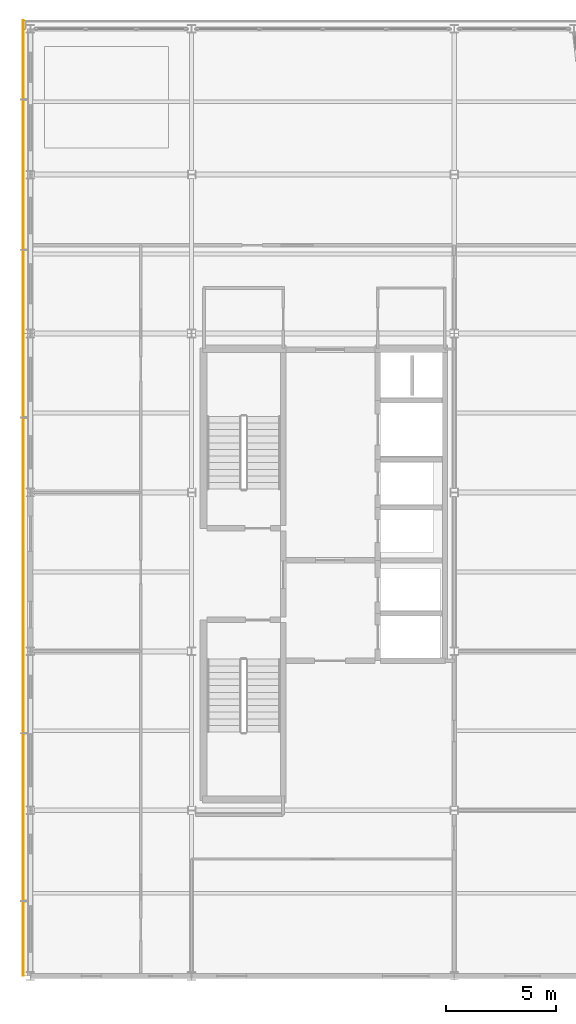
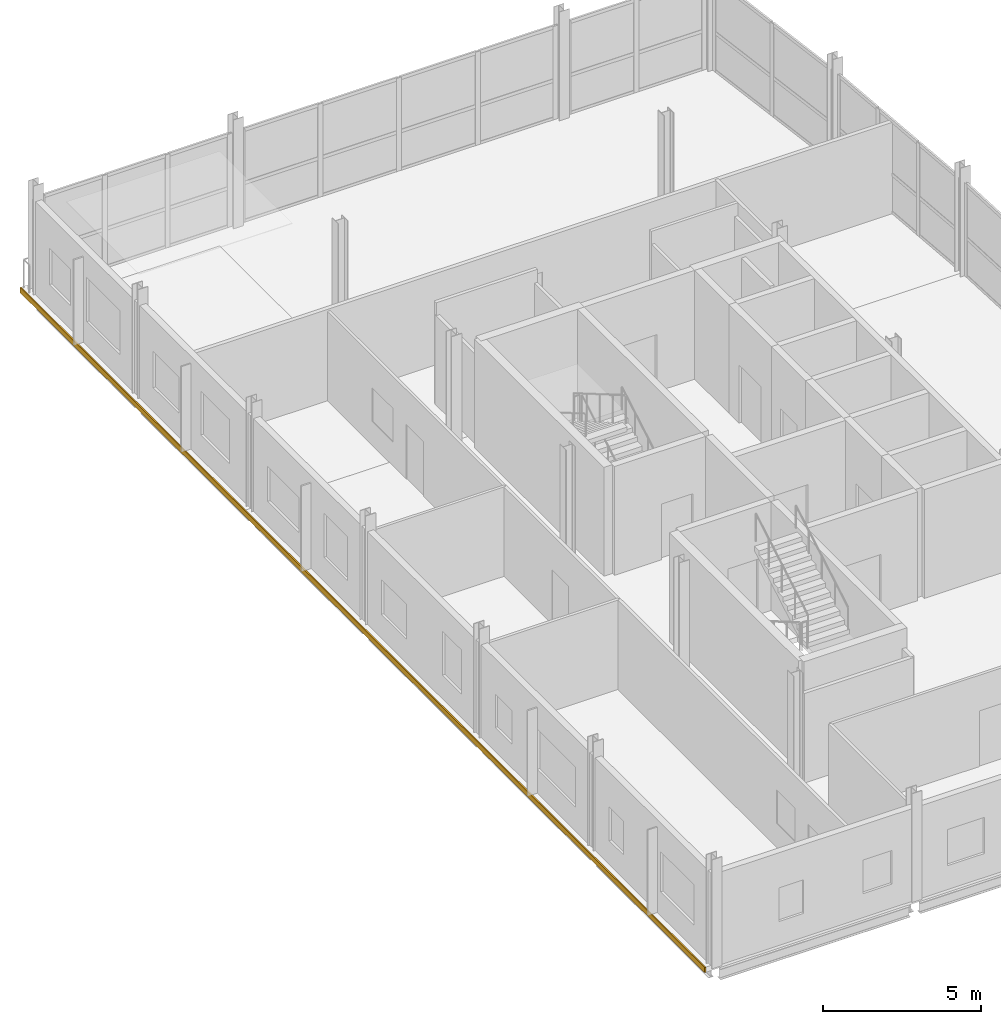
# One storey, part 15 of 16: 1 covering.
"""IFC4 building model written with IfcOpenShell, lengths in metres."""

import ifcopenshell
import ifcopenshell.guid

model = None  # the IFC model being written
_history = None  # IfcOwnerHistory: only IFC2X3 demands one
_inside = {}  # id of a spatial element -> (the spatial element, [elements in it])
_under = {}  # id of a project, library or spatial element -> (it, [spatial elements below it])
_declared = {}  # id of a project -> (the project, [libraries it declares])
_typed = {}  # id of a type object -> (the type object, [elements of that type])
_made_of = {}  # id of a material, layer set ... -> (it, [elements and type objects made of it])


def new_model(schema):
    """Start an empty IFC model of exactly this schema.

    Asked for "IFC4X3", IfcOpenShell would pick the latest addendum, in which some entities
    have other attributes; the version numbers below select the first issue.
    IFC2X3 requires an IfcOwnerHistory on every rooted entity: one is made here for all.
    """
    global model, _history
    if schema == "IFC4X3":
        model = ifcopenshell.file(schema_version=(4, 3, 0, 0))
    else:
        model = ifcopenshell.file(schema=schema)
    _inside.clear()
    _under.clear()
    _declared.clear()
    _typed.clear()
    _made_of.clear()
    _history = None
    if model.schema == "IFC2X3":
        org = make("IfcOrganization", Name="unknown")
        user = make(
            "IfcPersonAndOrganization",
            ThePerson=make("IfcPerson", FamilyName="unknown"),
            TheOrganization=org,
        )
        app = make(
            "IfcApplication",
            ApplicationDeveloper=org,
            Version="unknown",
            ApplicationFullName="unknown",
            ApplicationIdentifier="unknown",
        )
        _history = make(
            "IfcOwnerHistory",
            OwningUser=user,
            OwningApplication=app,
            ChangeAction="ADDED",
            CreationDate=0,
        )
    return model


def make(cls, **values):
    """One entity of the class cls with the attributes given. An attribute that is None is left unset."""
    return model.create_entity(
        cls, **{name: value for name, value in values.items() if value is not None}
    )


def rooted(cls, **values):
    """An entity with a GlobalId (a new one), such as an element, a storey or a relation."""
    return make(cls, GlobalId=ifcopenshell.guid.new(), OwnerHistory=_history, **values)


def si_unit(unit_type, name, prefix=None):
    """IfcSIUnit, for example si_unit("LENGTHUNIT", "METRE", prefix="MILLI")."""
    return make("IfcSIUnit", UnitType=unit_type, Prefix=prefix, Name=name)


def assignment(units):
    """IfcUnitAssignment: the units of a project."""
    return None if units is None else make("IfcUnitAssignment", Units=units)


def point(xyz):
    """IfcCartesianPoint."""
    return None if xyz is None else make("IfcCartesianPoint", Coordinates=xyz)


def direction(xyz):
    """IfcDirection."""
    return None if xyz is None else make("IfcDirection", DirectionRatios=xyz)


def frame(location, z_axis=None, x_axis=None):
    """IfcAxis2Placement3D, a coordinate frame: its origin and axes. An axis left out is left unset."""
    return make(
        "IfcAxis2Placement3D",
        Location=point(location),
        Axis=direction(z_axis),
        RefDirection=direction(x_axis),
    )


def origin():
    """The frame at (0, 0, 0) with its axes left unset."""
    return frame((0.0, 0.0, 0.0))


def place(relative_to, where):
    """IfcLocalPlacement: puts the frame where relative to a parent placement (None: the world)."""
    return make(
        "IfcLocalPlacement", PlacementRelTo=relative_to, RelativePlacement=where
    )


def context(
    kind, dimensions, precision=None, world=None, true_north=None, identifier=None
):
    """IfcGeometricRepresentationContext, for example the 3D "Model" context."""
    return make(
        "IfcGeometricRepresentationContext",
        ContextIdentifier=identifier,
        ContextType=kind,
        CoordinateSpaceDimension=dimensions,
        Precision=precision,
        WorldCoordinateSystem=world,
        TrueNorth=true_north,
    )


def subcontext(parent, identifier, kind, view, scale=None):
    """IfcGeometricRepresentationSubContext, for example "Body" below "Model"."""
    return make(
        "IfcGeometricRepresentationSubContext",
        ContextIdentifier=identifier,
        ContextType=kind,
        ParentContext=parent,
        TargetScale=scale,
        TargetView=view,
    )


def project(units=None, contexts=None):
    """IfcProject with its units and contexts."""
    return rooted(
        "IfcProject",
        Name="project",
        RepresentationContexts=contexts,
        UnitsInContext=assignment(units),
    )


def spatial(cls, under=None, at=None, **own):
    """A site, building, storey or space (cls), placed at a placement, below another one or the project."""
    s = rooted(cls, ObjectPlacement=at, **own)
    if under is not None:
        _under.setdefault(under.id(), (under, []))[1].append(s)
    return s


def polyline(points):
    """IfcPolyline through the points."""
    return make("IfcPolyline", Points=[point(p) for p in points])


def outline(outer, holes=None, kind="AREA"):
    """IfcArbitraryClosedProfileDef: a profile drawn as a closed curve; with holes, ...WithVoids."""
    if holes is None:
        return make("IfcArbitraryClosedProfileDef", ProfileType=kind, OuterCurve=outer)
    return make(
        "IfcArbitraryProfileDefWithVoids",
        ProfileType=kind,
        OuterCurve=outer,
        InnerCurves=holes,
    )


def extrude(swept, where, along, depth):
    """IfcExtrudedAreaSolid: the profile swept, set in the frame where, extruded along a direction by depth."""
    return make(
        "IfcExtrudedAreaSolid",
        SweptArea=swept,
        Position=where,
        ExtrudedDirection=direction(along),
        Depth=depth,
    )


def shape(context_of_items, identifier, shape_type, items):
    """IfcShapeRepresentation: the items that make up one representation, for example the "Body"."""
    return make(
        "IfcShapeRepresentation",
        ContextOfItems=context_of_items,
        RepresentationIdentifier=identifier,
        RepresentationType=shape_type,
        Items=items,
    )


def material(Name=None, Category=None):
    """IfcMaterial."""
    return make("IfcMaterial", Name=Name, Category=Category)


def layer(
    of_material, thickness, ventilated=None, Name=None, Category=None, Priority=None
):
    """IfcMaterialLayer: one layer of a wall or slab, of a material (None: an air gap)."""
    return make(
        "IfcMaterialLayer",
        Material=of_material,
        LayerThickness=thickness,
        IsVentilated=ventilated,
        Name=Name,
        Category=Category,
        Priority=Priority,
    )


def layer_set(layers, Name=None):
    """IfcMaterialLayerSet."""
    return make("IfcMaterialLayerSet", MaterialLayers=layers, LayerSetName=Name)


def made_of(thing, what):
    """Note that an element or type object is made of a material, layer set ...; save() writes the relation."""
    if what is not None:
        _made_of.setdefault(what.id(), (what, []))[1].append(thing)
    return thing


def type_object(cls, material=None, **own):
    """A type object (cls), such as IfcWallType, which elements share."""
    return made_of(rooted(cls, **own), material)


def element(
    cls,
    number,
    at=None,
    inside=None,
    cuts=None,
    type_object=None,
    material=None,
    context=None,
    identifier="Body",
    shape_type=None,
    held_by="IfcProductDefinitionShape",
    body=None,
    shapes=None,
    **own,
):
    """One element of the class cls, such as IfcWall. Its Tag is "e" and its number.

    at: its placement. inside: the storey or other place that contains it. cuts: it is an
    opening in that element (IfcRelVoidsElement). A single representation is given by context,
    identifier, shape_type and body (its items); several are given by shapes. held_by: the class
    of the entity that holds the representations. save() writes the other relations.
    """
    e = rooted(cls, Tag="e%d" % number, ObjectPlacement=at, **own)
    if body is not None:
        shapes = [shape(context, identifier, shape_type, body)]
    if shapes is not None:
        e.Representation = make(held_by, Representations=shapes)
    if inside is not None:
        _inside.setdefault(inside.id(), (inside, []))[1].append(e)
    if cuts is not None:
        rooted(
            "IfcRelVoidsElement", RelatingBuildingElement=cuts, RelatedOpeningElement=e
        )
    if type_object is not None:
        _typed.setdefault(type_object.id(), (type_object, []))[1].append(e)
    return made_of(e, material)


def aggregate(whole, parts):
    """IfcRelAggregates: a whole, such as a stair, and the parts it consists of."""
    return rooted("IfcRelAggregates", RelatingObject=whole, RelatedObjects=parts)


def save(model, path):
    """Write the relations noted so far, then the file.

    IfcRelAggregates (storeys below a building ...), IfcRelContainedInSpatialStructure (elements
    in a storey), IfcRelDefinesByType, IfcRelAssociatesMaterial and IfcRelDeclares: one each for
    every whole, place, type object, material and project.
    """
    for whole, parts in _under.values():
        aggregate(whole, parts)
    for where, things in _inside.values():
        rooted(
            "IfcRelContainedInSpatialStructure",
            RelatedElements=things,
            RelatingStructure=where,
        )
    for kind, things in _typed.values():
        rooted("IfcRelDefinesByType", RelatedObjects=things, RelatingType=kind)
    for what, things in _made_of.values():
        rooted("IfcRelAssociatesMaterial", RelatedObjects=things, RelatingMaterial=what)
    for by, libraries in _declared.values():
        rooted("IfcRelDeclares", RelatingContext=by, RelatedDefinitions=libraries)
    model.write(path)


model = new_model("IFC4")

# Units and contexts
model_context = context("Model", 3, precision=1e-05, world=origin(), true_north=direction((0.0, 1.0)))
body_context = subcontext(model_context, "Body", "Model", "MODEL_VIEW")
ifc_project = project(units=[si_unit("LENGTHUNIT", "METRE"), si_unit("AREAUNIT", "SQUARE_METRE"), si_unit("VOLUMEUNIT", "CUBIC_METRE"), si_unit("PLANEANGLEUNIT", "RADIAN"), si_unit("MASSUNIT", "GRAM", prefix="KILO")], contexts=[model_context])

# Site, building, storey
site_placement = place(None, origin())
site = spatial("IfcSite", under=ifc_project, at=site_placement, CompositionType="ELEMENT")
building_placement = place(site_placement, origin())
building = spatial("IfcBuilding", under=site, at=building_placement, Name="Quillay Park Conservatory", CompositionType="ELEMENT")
storey_placement = place(building_placement, frame((0.0, 0.0, 39.300048828125)))
storey = spatial("IfcBuildingStorey", under=building, at=storey_placement, Name="L09", CompositionType="ELEMENT", Elevation=39.300048828125)

# Covering
ifc_material = material(Name="Glass-Fibre Reinforced Concrete (GRC) Cladding", Category="concrete")
ifc_layer = layer(ifc_material, 0.044921875)
ifc_layer_set = layer_set([ifc_layer], Name="GRC SPANDREL CLADDING 45 (Glass-Fibre Reinforced Concrete (GRC) Cladding)")
covering_type = type_object("IfcCoveringType", Name="GRC SPANDREL CLADDING 45", PredefinedType="CLADDING", material=ifc_layer_set)
covering_placement = place(storey_placement, frame((0.0, 0.0, -0.199951171875)))
element("IfcCovering", 1, at=covering_placement, inside=storey, type_object=covering_type, Name="L09 West Folded GRC Spandrel Ribbon", PredefinedType="CLADDING", context=body_context, shape_type="SweptSolid", body=[
    extrude(outline(polyline([(0.205078125, 70.5), (0.25, 70.5), (0.25, 113.800048828125), (0.205078125, 113.800048828125), (0.205078125, 70.5)])), origin(), (0.0, 0.0, 1.0), 0.199951171875),
])

save(model, "model.ifc")
